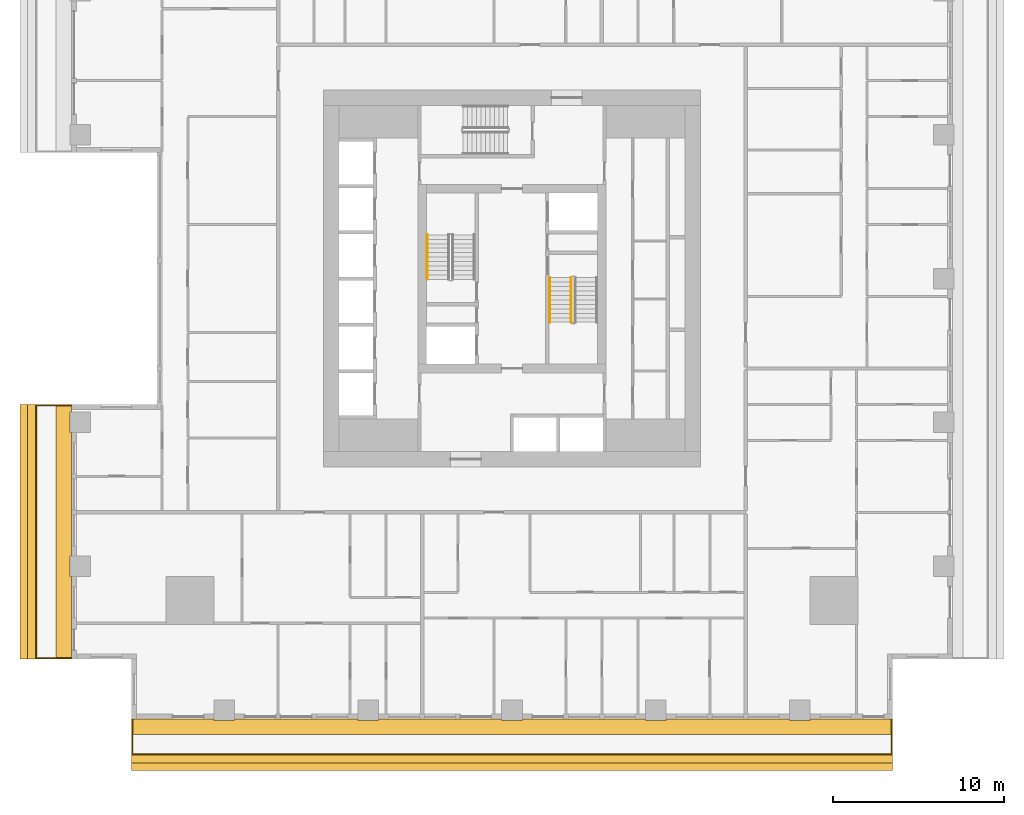
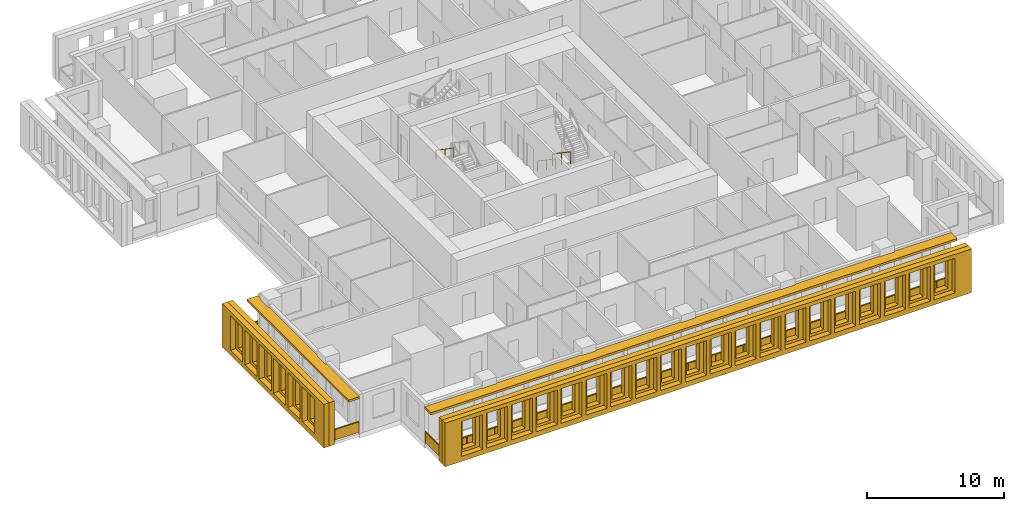
# One storey, part 11 of 15: 6 shading devices, 5 railings.
"""IFC4 building model written with IfcOpenShell, lengths in metres."""

from ifc_helpers import new_model, si_unit, direction, frame, origin, origin_2d, place, context, subcontext, project, spatial, polyline, rectangle, outline, extrude, material, layer, layer_set, type_object, element, save


model = new_model("IFC4")

# Units and contexts
model_context = context("Model", 3, precision=1e-05, world=origin(), true_north=direction((0.0, 1.0)))
body_context = subcontext(model_context, "Body", "Model", "MODEL_VIEW")
ifc_project = project(units=[si_unit("LENGTHUNIT", "METRE"), si_unit("AREAUNIT", "SQUARE_METRE"), si_unit("VOLUMEUNIT", "CUBIC_METRE"), si_unit("PLANEANGLEUNIT", "RADIAN"), si_unit("MASSUNIT", "GRAM", prefix="KILO")], contexts=[model_context])

# Site, building, storey
site_placement = place(None, origin())
site = spatial("IfcSite", under=ifc_project, at=site_placement, CompositionType="ELEMENT")
building_placement = place(site_placement, origin())
building = spatial("IfcBuilding", under=site, at=building_placement, Name="Khepri Terraces", CompositionType="ELEMENT")
storey_placement = place(building_placement, frame((0.0, 0.0, 98.699951171875)))
storey = spatial("IfcBuildingStorey", under=building, at=storey_placement, Name="L23", CompositionType="ELEMENT", Elevation=98.699951171875)

# Railings
ifc_material_1 = material(Name="Stainless steel grade 316", Category="steel")
railing_type_1 = type_object("IfcRailingType", Name="GRD-BAL-1100", PredefinedType="GUARDRAIL", material=ifc_material_1)
railing_1_placement = place(storey_placement, frame((-22.169921875, -25.719970703125, 0.0)))
element("IfcRailing", 1, at=railing_1_placement, inside=storey, type_object=railing_type_1, Name="Balcony guard L23 S", PredefinedType="GUARDRAIL", context=body_context, shape_type="SweptSolid", body=[
    extrude(rectangle(XDim=0.050048828125, YDim=0.06005859375, at=origin_2d()), frame((0.0, 0.0, 1.070068359375), z_axis=(0.0, -1.0, 0.0), x_axis=(1.0, 0.0, 0.0)), (0.0, 0.0, 1.0), 2.050048828125),
    extrude(rectangle(XDim=2.0, YDim=0.011962890625, at=origin_2d()), frame((0.0, -1.02490234375, 0.10009765625), z_axis=(0.0, 0.0, 1.0), x_axis=(0.0, -1.0, 0.0)), (0.0, 0.0, 1.0), 0.93994140625),
    extrude(rectangle(XDim=0.050048828125, YDim=0.06005859375, at=origin_2d()), frame((0.0, -2.050048828125, 1.070068359375), z_axis=(1.0, 0.0, 0.0), x_axis=(0.0, 1.0, 0.0)), (0.0, 0.0, 1.0), 44.33984375),
    extrude(rectangle(XDim=2.28369140625, YDim=0.011962890625, at=origin_2d()), frame((1.166748046875, -2.050048828125, 0.10009765625), z_axis=(0.0, 0.0, 1.0), x_axis=(1.0, 0.0, 0.0)), (0.0, 0.0, 1.0), 0.93994140625),
    extrude(rectangle(XDim=2.28369140625, YDim=0.011962890625, at=origin_2d()), frame((3.50048828125, -2.050048828125, 0.10009765625), z_axis=(0.0, 0.0, 1.0), x_axis=(1.0, 0.0, 0.0)), (0.0, 0.0, 1.0), 0.93994140625),
    extrude(rectangle(XDim=2.28369140625, YDim=0.011962890625, at=origin_2d()), frame((5.834228515625, -2.050048828125, 0.10009765625), z_axis=(0.0, 0.0, 1.0), x_axis=(1.0, 0.0, 0.0)), (0.0, 0.0, 1.0), 0.93994140625),
    extrude(rectangle(XDim=2.28369140625, YDim=0.011962890625, at=origin_2d()), frame((8.16796875, -2.050048828125, 0.10009765625), z_axis=(0.0, 0.0, 1.0), x_axis=(1.0, 0.0, 0.0)), (0.0, 0.0, 1.0), 0.93994140625),
    extrude(rectangle(XDim=2.28369140625, YDim=0.011962890625, at=origin_2d()), frame((10.50146484375, -2.050048828125, 0.10009765625), z_axis=(0.0, 0.0, 1.0), x_axis=(1.0, 0.0, 0.0)), (0.0, 0.0, 1.0), 0.93994140625),
    extrude(rectangle(XDim=2.28369140625, YDim=0.011962890625, at=origin_2d()), frame((12.835205078125, -2.050048828125, 0.10009765625), z_axis=(0.0, 0.0, 1.0), x_axis=(1.0, 0.0, 0.0)), (0.0, 0.0, 1.0), 0.93994140625),
    extrude(rectangle(XDim=2.28369140625, YDim=0.011962890625, at=origin_2d()), frame((15.1689453125, -2.050048828125, 0.10009765625), z_axis=(0.0, 0.0, 1.0), x_axis=(1.0, 0.0, 0.0)), (0.0, 0.0, 1.0), 0.93994140625),
    extrude(rectangle(XDim=2.28369140625, YDim=0.011962890625, at=origin_2d()), frame((17.502685546875, -2.050048828125, 0.10009765625), z_axis=(0.0, 0.0, 1.0), x_axis=(1.0, 0.0, 0.0)), (0.0, 0.0, 1.0), 0.93994140625),
    extrude(rectangle(XDim=2.28369140625, YDim=0.011962890625, at=origin_2d()), frame((19.836181640625, -2.050048828125, 0.10009765625), z_axis=(0.0, 0.0, 1.0), x_axis=(1.0, 0.0, 0.0)), (0.0, 0.0, 1.0), 0.93994140625),
    extrude(rectangle(XDim=2.28369140625, YDim=0.011962890625, at=origin_2d()), frame((22.169921875, -2.050048828125, 0.10009765625), z_axis=(0.0, 0.0, 1.0), x_axis=(1.0, 0.0, 0.0)), (0.0, 0.0, 1.0), 0.93994140625),
    extrude(rectangle(XDim=2.28369140625, YDim=0.011962890625, at=origin_2d()), frame((24.503662109375, -2.050048828125, 0.10009765625), z_axis=(0.0, 0.0, 1.0), x_axis=(1.0, 0.0, 0.0)), (0.0, 0.0, 1.0), 0.93994140625),
    extrude(rectangle(XDim=2.28369140625, YDim=0.011962890625, at=origin_2d()), frame((26.837158203125, -2.050048828125, 0.10009765625), z_axis=(0.0, 0.0, 1.0), x_axis=(1.0, 0.0, 0.0)), (0.0, 0.0, 1.0), 0.93994140625),
    extrude(rectangle(XDim=2.28369140625, YDim=0.011962890625, at=origin_2d()), frame((29.1708984375, -2.050048828125, 0.10009765625), z_axis=(0.0, 0.0, 1.0), x_axis=(1.0, 0.0, 0.0)), (0.0, 0.0, 1.0), 0.93994140625),
    extrude(rectangle(XDim=2.28369140625, YDim=0.011962890625, at=origin_2d()), frame((31.504638671875, -2.050048828125, 0.10009765625), z_axis=(0.0, 0.0, 1.0), x_axis=(1.0, 0.0, 0.0)), (0.0, 0.0, 1.0), 0.93994140625),
    extrude(rectangle(XDim=2.28369140625, YDim=0.011962890625, at=origin_2d()), frame((33.83837890625, -2.050048828125, 0.10009765625), z_axis=(0.0, 0.0, 1.0), x_axis=(1.0, 0.0, 0.0)), (0.0, 0.0, 1.0), 0.93994140625),
    extrude(rectangle(XDim=2.28369140625, YDim=0.011962890625, at=origin_2d()), frame((36.171875, -2.050048828125, 0.10009765625), z_axis=(0.0, 0.0, 1.0), x_axis=(1.0, 0.0, 0.0)), (0.0, 0.0, 1.0), 0.93994140625),
    extrude(rectangle(XDim=2.28369140625, YDim=0.011962890625, at=origin_2d()), frame((38.505615234375, -2.050048828125, 0.10009765625), z_axis=(0.0, 0.0, 1.0), x_axis=(1.0, 0.0, 0.0)), (0.0, 0.0, 1.0), 0.93994140625),
    extrude(rectangle(XDim=2.28369140625, YDim=0.011962890625, at=origin_2d()), frame((40.83935546875, -2.050048828125, 0.10009765625), z_axis=(0.0, 0.0, 1.0), x_axis=(1.0, 0.0, 0.0)), (0.0, 0.0, 1.0), 0.93994140625),
    extrude(rectangle(XDim=2.28369140625, YDim=0.011962890625, at=origin_2d()), frame((43.173095703125, -2.050048828125, 0.10009765625), z_axis=(0.0, 0.0, 1.0), x_axis=(1.0, 0.0, 0.0)), (0.0, 0.0, 1.0), 0.93994140625),
    extrude(rectangle(XDim=0.050048828125, YDim=0.06005859375, at=origin_2d()), frame((44.33984375, -2.050048828125, 1.070068359375), z_axis=(0.0, 1.0, 0.0), x_axis=(-1.0, 0.0, 0.0)), (0.0, 0.0, 1.0), 2.050048828125),
    extrude(rectangle(XDim=2.0, YDim=0.011962890625, at=origin_2d()), frame((44.33984375, -1.02490234375, 0.10009765625), z_axis=(0.0, 0.0, 1.0), x_axis=(0.0, 1.0, 0.0)), (0.0, 0.0, 1.0), 0.93994140625),
    extrude(rectangle(XDim=0.050048828125, YDim=0.050048828125, at=origin_2d()), origin(), (0.0, 0.0, 1.0), 1.0400390625),
    extrude(rectangle(XDim=0.050048828125, YDim=0.050048828125, at=origin_2d()), frame((0.0, -2.050048828125, 0.0)), (0.0, 0.0, 1.0), 1.0400390625),
    extrude(rectangle(XDim=0.050048828125, YDim=0.050048828125, at=origin_2d()), frame((2.333740234375, -2.050048828125, 0.0)), (0.0, 0.0, 1.0), 1.0400390625),
    extrude(rectangle(XDim=0.050048828125, YDim=0.050048828125, at=origin_2d()), frame((4.667236328125, -2.050048828125, 0.0)), (0.0, 0.0, 1.0), 1.0400390625),
    extrude(rectangle(XDim=0.050048828125, YDim=0.050048828125, at=origin_2d()), frame((7.0009765625, -2.050048828125, 0.0)), (0.0, 0.0, 1.0), 1.0400390625),
    extrude(rectangle(XDim=0.050048828125, YDim=0.050048828125, at=origin_2d()), frame((9.334716796875, -2.050048828125, 0.0)), (0.0, 0.0, 1.0), 1.0400390625),
    extrude(rectangle(XDim=0.050048828125, YDim=0.050048828125, at=origin_2d()), frame((11.66845703125, -2.050048828125, 0.0)), (0.0, 0.0, 1.0), 1.0400390625),
    extrude(rectangle(XDim=0.050048828125, YDim=0.050048828125, at=origin_2d()), frame((14.001953125, -2.050048828125, 0.0)), (0.0, 0.0, 1.0), 1.0400390625),
    extrude(rectangle(XDim=0.050048828125, YDim=0.050048828125, at=origin_2d()), frame((16.335693359375, -2.050048828125, 0.0)), (0.0, 0.0, 1.0), 1.0400390625),
    extrude(rectangle(XDim=0.050048828125, YDim=0.050048828125, at=origin_2d()), frame((18.66943359375, -2.050048828125, 0.0)), (0.0, 0.0, 1.0), 1.0400390625),
    extrude(rectangle(XDim=0.050048828125, YDim=0.050048828125, at=origin_2d()), frame((21.003173828125, -2.050048828125, 0.0)), (0.0, 0.0, 1.0), 1.0400390625),
    extrude(rectangle(XDim=0.050048828125, YDim=0.050048828125, at=origin_2d()), frame((23.336669921875, -2.050048828125, 0.0)), (0.0, 0.0, 1.0), 1.0400390625),
    extrude(rectangle(XDim=0.050048828125, YDim=0.050048828125, at=origin_2d()), frame((25.67041015625, -2.050048828125, 0.0)), (0.0, 0.0, 1.0), 1.0400390625),
    extrude(rectangle(XDim=0.050048828125, YDim=0.050048828125, at=origin_2d()), frame((28.004150390625, -2.050048828125, 0.0)), (0.0, 0.0, 1.0), 1.0400390625),
    extrude(rectangle(XDim=0.050048828125, YDim=0.050048828125, at=origin_2d()), frame((30.337890625, -2.050048828125, 0.0)), (0.0, 0.0, 1.0), 1.0400390625),
    extrude(rectangle(XDim=0.050048828125, YDim=0.050048828125, at=origin_2d()), frame((32.67138671875, -2.050048828125, 0.0)), (0.0, 0.0, 1.0), 1.0400390625),
    extrude(rectangle(XDim=0.050048828125, YDim=0.050048828125, at=origin_2d()), frame((35.005126953125, -2.050048828125, 0.0)), (0.0, 0.0, 1.0), 1.0400390625),
    extrude(rectangle(XDim=0.050048828125, YDim=0.050048828125, at=origin_2d()), frame((37.3388671875, -2.050048828125, 0.0)), (0.0, 0.0, 1.0), 1.0400390625),
    extrude(rectangle(XDim=0.050048828125, YDim=0.050048828125, at=origin_2d()), frame((39.672607421875, -2.050048828125, 0.0)), (0.0, 0.0, 1.0), 1.0400390625),
    extrude(rectangle(XDim=0.050048828125, YDim=0.050048828125, at=origin_2d()), frame((42.006103515625, -2.050048828125, 0.0)), (0.0, 0.0, 1.0), 1.0400390625),
    extrude(rectangle(XDim=0.050048828125, YDim=0.050048828125, at=origin_2d()), frame((44.33984375, -2.050048828125, 0.0)), (0.0, 0.0, 1.0), 1.0400390625),
    extrude(rectangle(XDim=0.050048828125, YDim=0.050048828125, at=origin_2d()), frame((44.33984375, 0.0, 0.0)), (0.0, 0.0, 1.0), 1.0400390625),
])
railing_2_placement = place(storey_placement, frame((-25.719970703125, -7.39990234375, 0.0)))
element("IfcRailing", 2, at=railing_2_placement, inside=storey, type_object=railing_type_1, Name="Balcony guard L23 W", PredefinedType="GUARDRAIL", context=body_context, shape_type="SweptSolid", body=[
    extrude(rectangle(XDim=0.050048828125, YDim=0.06005859375, at=origin_2d()), frame((0.0, 0.0, 1.070068359375), z_axis=(-1.0, 0.0, 0.0), x_axis=(0.0, -1.0, 0.0)), (0.0, 0.0, 1.0), 2.050048828125),
    extrude(rectangle(XDim=2.0, YDim=0.011962890625, at=origin_2d()), frame((-1.02490234375, 0.0, 0.10009765625), z_axis=(0.0, 0.0, 1.0), x_axis=(-1.0, 0.0, 0.0)), (0.0, 0.0, 1.0), 0.93994140625),
    extrude(rectangle(XDim=0.050048828125, YDim=0.06005859375, at=origin_2d()), frame((-2.050048828125, 0.0, 1.070068359375), z_axis=(0.0, -1.0, 0.0), x_axis=(1.0, 0.0, 0.0)), (0.0, 0.0, 1.0), 14.77001953125),
    extrude(rectangle(XDim=2.06005859375, YDim=0.011962890625, at=origin_2d()), frame((-2.050048828125, -1.054931640625, 0.10009765625), z_axis=(0.0, 0.0, 1.0), x_axis=(0.0, -1.0, 0.0)), (0.0, 0.0, 1.0), 0.93994140625),
    extrude(rectangle(XDim=2.06005859375, YDim=0.011962890625, at=origin_2d()), frame((-2.050048828125, -3.1650390625, 0.10009765625), z_axis=(0.0, 0.0, 1.0), x_axis=(0.0, -1.0, 0.0)), (0.0, 0.0, 1.0), 0.93994140625),
    extrude(rectangle(XDim=2.06005859375, YDim=0.011962890625, at=origin_2d()), frame((-2.050048828125, -5.27490234375, 0.10009765625), z_axis=(0.0, 0.0, 1.0), x_axis=(0.0, -1.0, 0.0)), (0.0, 0.0, 1.0), 0.93994140625),
    extrude(rectangle(XDim=2.06005859375, YDim=0.011962890625, at=origin_2d()), frame((-2.050048828125, -7.385009765625, 0.10009765625), z_axis=(0.0, 0.0, 1.0), x_axis=(0.0, -1.0, 0.0)), (0.0, 0.0, 1.0), 0.93994140625),
    extrude(rectangle(XDim=2.06005859375, YDim=0.011962890625, at=origin_2d()), frame((-2.050048828125, -9.4951171875, 0.10009765625), z_axis=(0.0, 0.0, 1.0), x_axis=(0.0, -1.0, 0.0)), (0.0, 0.0, 1.0), 0.93994140625),
    extrude(rectangle(XDim=2.06005859375, YDim=0.011962890625, at=origin_2d()), frame((-2.050048828125, -11.60498046875, 0.10009765625), z_axis=(0.0, 0.0, 1.0), x_axis=(0.0, -1.0, 0.0)), (0.0, 0.0, 1.0), 0.93994140625),
    extrude(rectangle(XDim=2.06005859375, YDim=0.011962890625, at=origin_2d()), frame((-2.050048828125, -13.715087890625, 0.10009765625), z_axis=(0.0, 0.0, 1.0), x_axis=(0.0, -1.0, 0.0)), (0.0, 0.0, 1.0), 0.93994140625),
    extrude(rectangle(XDim=0.050048828125, YDim=0.06005859375, at=origin_2d()), frame((-2.050048828125, -14.77001953125, 1.070068359375), z_axis=(1.0, 0.0, 0.0), x_axis=(0.0, 1.0, 0.0)), (0.0, 0.0, 1.0), 2.050048828125),
    extrude(rectangle(XDim=2.0, YDim=0.011962890625, at=origin_2d()), frame((-1.02490234375, -14.77001953125, 0.10009765625), z_axis=(0.0, 0.0, 1.0), x_axis=(1.0, 0.0, 0.0)), (0.0, 0.0, 1.0), 0.93994140625),
    extrude(rectangle(XDim=0.050048828125, YDim=0.050048828125, at=origin_2d()), origin(), (0.0, 0.0, 1.0), 1.0400390625),
    extrude(rectangle(XDim=0.050048828125, YDim=0.050048828125, at=origin_2d()), frame((-2.050048828125, 0.0, 0.0)), (0.0, 0.0, 1.0), 1.0400390625),
    extrude(rectangle(XDim=0.050048828125, YDim=0.050048828125, at=origin_2d()), frame((-2.050048828125, -2.110107421875, 0.0)), (0.0, 0.0, 1.0), 1.0400390625),
    extrude(rectangle(XDim=0.050048828125, YDim=0.050048828125, at=origin_2d()), frame((-2.050048828125, -4.219970703125, 0.0)), (0.0, 0.0, 1.0), 1.0400390625),
    extrude(rectangle(XDim=0.050048828125, YDim=0.050048828125, at=origin_2d()), frame((-2.050048828125, -6.330078125, 0.0)), (0.0, 0.0, 1.0), 1.0400390625),
    extrude(rectangle(XDim=0.050048828125, YDim=0.050048828125, at=origin_2d()), frame((-2.050048828125, -8.43994140625, 0.0)), (0.0, 0.0, 1.0), 1.0400390625),
    extrude(rectangle(XDim=0.050048828125, YDim=0.050048828125, at=origin_2d()), frame((-2.050048828125, -10.550048828125, 0.0)), (0.0, 0.0, 1.0), 1.0400390625),
    extrude(rectangle(XDim=0.050048828125, YDim=0.050048828125, at=origin_2d()), frame((-2.050048828125, -12.659912109375, 0.0)), (0.0, 0.0, 1.0), 1.0400390625),
    extrude(rectangle(XDim=0.050048828125, YDim=0.050048828125, at=origin_2d()), frame((-2.050048828125, -14.77001953125, 0.0)), (0.0, 0.0, 1.0), 1.0400390625),
    extrude(rectangle(XDim=0.050048828125, YDim=0.050048828125, at=origin_2d()), frame((0.0, -14.77001953125, 0.0)), (0.0, 0.0, 1.0), 1.0400390625),
])
ifc_material_2 = material(Name="Stainless steel 316", Category="steel")
railing_type_2 = type_object("IfcRailingType", Name="RL-CORE-GUARD", PredefinedType="GUARDRAIL", material=ifc_material_2)
railing_3_placement = place(storey_placement, frame((3.449951171875, 0.050048828125, 0.17724609375)))
element("IfcRailing", 3, at=railing_3_placement, inside=storey, type_object=railing_type_2, Name="L23 ST-2 stair guard 1", PredefinedType="GUARDRAIL", context=body_context, shape_type="SweptSolid", body=[
    extrude(rectangle(XDim=0.050048828125, YDim=0.06005859375, at=origin_2d()), frame((0.0, 0.0, 1.070068359375), z_axis=(0.0, -0.826240473404, 0.563317565952), x_axis=(1.0, 0.0, 0.0)), (0.0, 0.0, 1.0), 3.14697265625),
    extrude(rectangle(XDim=0.050048828125, YDim=0.050048828125, at=origin_2d()), origin(), (0.0, 0.0, 1.0), 1.0400390625),
    extrude(rectangle(XDim=0.050048828125, YDim=0.050048828125, at=origin_2d()), frame((0.0, -1.300048828125, 0.88623046875)), (0.0, 0.0, 1.0), 1.0400390625),
    extrude(rectangle(XDim=0.050048828125, YDim=0.050048828125, at=origin_2d()), frame((0.0, -2.60009765625, 1.772705078125)), (0.0, 0.0, 1.0), 1.0400390625),
])
railing_type_3 = type_object("IfcRailingType", Name="RL-CORE-HANDRAIL", PredefinedType="HANDRAIL", material=ifc_material_2)
for number, where, name in (
    (4, (-4.949951171875, 2.550048828125, 2.12744140625), "L23 ST-1 stair handrail 2"),
    (5, (2.199951171875, 0.050048828125, 0.17724609375), "L23 ST-2 stair handrail 1"),
):
    element("IfcRailing", number, at=place(storey_placement, frame(where)), inside=storey, type_object=railing_type_3, Name=name, PredefinedType="HANDRAIL", context=body_context, shape_type="SweptSolid", body=[
        extrude(rectangle(XDim=0.050048828125, YDim=0.050048828125, at=origin_2d()), frame((0.0, 0.0, 0.875), z_axis=(0.0, -0.826240473404, 0.563317565952), x_axis=(1.0, 0.0, 0.0)), (0.0, 0.0, 1.0), 3.14697265625),
        extrude(rectangle(XDim=0.050048828125, YDim=0.050048828125, at=origin_2d()), origin(), (0.0, 0.0, 1.0), 0.849853515625),
        extrude(rectangle(XDim=0.050048828125, YDim=0.050048828125, at=origin_2d()), frame((0.0, -1.300048828125, 0.88623046875)), (0.0, 0.0, 1.0), 0.849853515625),
        extrude(rectangle(XDim=0.050048828125, YDim=0.050048828125, at=origin_2d()), frame((0.0, -2.60009765625, 1.772705078125)), (0.0, 0.0, 1.0), 0.849853515625),
    ])

# Shading devices
ifc_material_3 = material(Name="Precast concrete C50/60 warm stone", Category="masonry")
shading_device_type_1 = type_object("IfcShadingDeviceType", Name="SCR-CELL-INNER-450", PredefinedType="USERDEFINED", material=ifc_material_3)
shading_device_1_placement = place(storey_placement, frame((-22.219970703125, -27.820068359375, -0.25), z_axis=(0.0, -1.0, 0.0), x_axis=(1.0, 0.0, 0.0)))
element("IfcShadingDevice", 6, at=shading_device_1_placement, inside=storey, type_object=shading_device_type_1, Name="Cell screen L23 S in", ObjectType="SCREEN", PredefinedType="USERDEFINED", context=body_context, shape_type="SweptSolid", body=[
    extrude(outline(polyline([(0.0, 0.0), (44.43994140625, 0.0), (44.43994140625, 3.89990234375), (0.0, 3.89990234375), (0.0, 0.0)]), holes=[polyline([(1.7265625, 0.699951171875), (2.8134765625, 0.699951171875), (2.8134765625, 3.300048828125), (1.7265625, 3.300048828125), (1.7265625, 0.699951171875)]), polyline([(3.82666015625, 0.699951171875), (4.913330078125, 0.699951171875), (4.913330078125, 3.300048828125), (3.82666015625, 3.300048828125), (3.82666015625, 0.699951171875)]), polyline([(5.926513671875, 0.699951171875), (7.013427734375, 0.699951171875), (7.013427734375, 3.300048828125), (5.926513671875, 3.300048828125), (5.926513671875, 0.699951171875)]), polyline([(8.026611328125, 0.699951171875), (9.11328125, 0.699951171875), (9.11328125, 3.300048828125), (8.026611328125, 3.300048828125), (8.026611328125, 0.699951171875)]), polyline([(10.126708984375, 0.699951171875), (11.21337890625, 0.699951171875), (11.21337890625, 3.300048828125), (10.126708984375, 3.300048828125), (10.126708984375, 0.699951171875)]), polyline([(12.2265625, 0.699951171875), (13.3134765625, 0.699951171875), (13.3134765625, 3.300048828125), (12.2265625, 3.300048828125), (12.2265625, 0.699951171875)]), polyline([(14.32666015625, 0.699951171875), (15.413330078125, 0.699951171875), (15.413330078125, 3.300048828125), (14.32666015625, 3.300048828125), (14.32666015625, 0.699951171875)]), polyline([(16.426513671875, 0.699951171875), (17.513427734375, 0.699951171875), (17.513427734375, 3.300048828125), (16.426513671875, 3.300048828125), (16.426513671875, 0.699951171875)]), polyline([(18.526611328125, 0.699951171875), (19.61328125, 0.699951171875), (19.61328125, 3.300048828125), (18.526611328125, 3.300048828125), (18.526611328125, 0.699951171875)]), polyline([(20.626708984375, 0.699951171875), (21.71337890625, 0.699951171875), (21.71337890625, 3.300048828125), (20.626708984375, 3.300048828125), (20.626708984375, 0.699951171875)]), polyline([(22.7265625, 0.699951171875), (23.8134765625, 0.699951171875), (23.8134765625, 3.300048828125), (22.7265625, 3.300048828125), (22.7265625, 0.699951171875)]), polyline([(24.82666015625, 0.699951171875), (25.913330078125, 0.699951171875), (25.913330078125, 3.300048828125), (24.82666015625, 3.300048828125), (24.82666015625, 0.699951171875)]), polyline([(26.926513671875, 0.699951171875), (28.013427734375, 0.699951171875), (28.013427734375, 3.300048828125), (26.926513671875, 3.300048828125), (26.926513671875, 0.699951171875)]), polyline([(29.026611328125, 0.699951171875), (30.11328125, 0.699951171875), (30.11328125, 3.300048828125), (29.026611328125, 3.300048828125), (29.026611328125, 0.699951171875)]), polyline([(31.126708984375, 0.699951171875), (32.21337890625, 0.699951171875), (32.21337890625, 3.300048828125), (31.126708984375, 3.300048828125), (31.126708984375, 0.699951171875)]), polyline([(33.2265625, 0.699951171875), (34.3134765625, 0.699951171875), (34.3134765625, 3.300048828125), (33.2265625, 3.300048828125), (33.2265625, 0.699951171875)]), polyline([(35.32666015625, 0.699951171875), (36.413330078125, 0.699951171875), (36.413330078125, 3.300048828125), (35.32666015625, 3.300048828125), (35.32666015625, 0.699951171875)]), polyline([(37.426513671875, 0.699951171875), (38.513427734375, 0.699951171875), (38.513427734375, 3.300048828125), (37.426513671875, 3.300048828125), (37.426513671875, 0.699951171875)]), polyline([(39.526611328125, 0.699951171875), (40.61328125, 0.699951171875), (40.61328125, 3.300048828125), (39.526611328125, 3.300048828125), (39.526611328125, 0.699951171875)]), polyline([(41.626708984375, 0.699951171875), (42.71337890625, 0.699951171875), (42.71337890625, 3.300048828125), (41.626708984375, 3.300048828125), (41.626708984375, 0.699951171875)])]), origin(), (0.0, 0.0, 1.0), 0.449951171875),
])
shading_device_2_placement = place(storey_placement, frame((-27.820068359375, -7.35009765625, -0.25), z_axis=(-1.0, 0.0, 0.0), x_axis=(0.0, -1.0, 0.0)))
element("IfcShadingDevice", 7, at=shading_device_2_placement, inside=storey, type_object=shading_device_type_1, Name="Cell screen L23 W in", ObjectType="SCREEN", PredefinedType="USERDEFINED", context=body_context, shape_type="SweptSolid", body=[
    extrude(outline(polyline([(0.0, 0.0), (14.8701171875, 0.0), (14.8701171875, 3.89990234375), (0.0, 3.89990234375), (0.0, 0.0)]), holes=[polyline([(1.556640625, 0.699951171875), (2.643310546875, 0.699951171875), (2.643310546875, 3.300048828125), (1.556640625, 3.300048828125), (1.556640625, 0.699951171875)]), polyline([(3.656494140625, 0.699951171875), (4.743408203125, 0.699951171875), (4.743408203125, 3.300048828125), (3.656494140625, 3.300048828125), (3.656494140625, 0.699951171875)]), polyline([(5.756591796875, 0.699951171875), (6.843505859375, 0.699951171875), (6.843505859375, 3.300048828125), (5.756591796875, 3.300048828125), (5.756591796875, 0.699951171875)]), polyline([(7.856689453125, 0.699951171875), (8.943359375, 0.699951171875), (8.943359375, 3.300048828125), (7.856689453125, 3.300048828125), (7.856689453125, 0.699951171875)]), polyline([(9.95654296875, 0.699951171875), (11.04345703125, 0.699951171875), (11.04345703125, 3.300048828125), (9.95654296875, 3.300048828125), (9.95654296875, 0.699951171875)]), polyline([(12.056640625, 0.699951171875), (13.143310546875, 0.699951171875), (13.143310546875, 3.300048828125), (12.056640625, 3.300048828125), (12.056640625, 0.699951171875)])]), origin(), (0.0, 0.0, 1.0), 0.449951171875),
])
shading_device_type_2 = type_object("IfcShadingDeviceType", Name="SCR-CELL-OUTER-450", PredefinedType="USERDEFINED", material=ifc_material_3)
shading_device_3_placement = place(storey_placement, frame((-22.219970703125, -28.27001953125, -0.25), z_axis=(0.0, -1.0, 0.0), x_axis=(1.0, 0.0, 0.0)))
element("IfcShadingDevice", 8, at=shading_device_3_placement, inside=storey, type_object=shading_device_type_2, Name="Cell screen L23 S out", ObjectType="SCREEN", PredefinedType="USERDEFINED", context=body_context, shape_type="SweptSolid", body=[
    extrude(outline(polyline([(0.0, 0.0), (44.43994140625, 0.0), (44.43994140625, 3.89990234375), (0.0, 3.89990234375), (0.0, 0.0)]), holes=[polyline([(1.376708984375, 0.449951171875), (3.163330078125, 0.449951171875), (3.163330078125, 3.550048828125), (1.376708984375, 3.550048828125), (1.376708984375, 0.449951171875)]), polyline([(3.4765625, 0.449951171875), (5.263427734375, 0.449951171875), (5.263427734375, 3.550048828125), (3.4765625, 3.550048828125), (3.4765625, 0.449951171875)]), polyline([(5.57666015625, 0.449951171875), (7.36328125, 0.449951171875), (7.36328125, 3.550048828125), (5.57666015625, 3.550048828125), (5.57666015625, 0.449951171875)]), polyline([(7.676513671875, 0.449951171875), (9.46337890625, 0.449951171875), (9.46337890625, 3.550048828125), (7.676513671875, 3.550048828125), (7.676513671875, 0.449951171875)]), polyline([(9.776611328125, 0.449951171875), (11.5634765625, 0.449951171875), (11.5634765625, 3.550048828125), (9.776611328125, 3.550048828125), (9.776611328125, 0.449951171875)]), polyline([(11.876708984375, 0.449951171875), (13.663330078125, 0.449951171875), (13.663330078125, 3.550048828125), (11.876708984375, 3.550048828125), (11.876708984375, 0.449951171875)]), polyline([(13.9765625, 0.449951171875), (15.763427734375, 0.449951171875), (15.763427734375, 3.550048828125), (13.9765625, 3.550048828125), (13.9765625, 0.449951171875)]), polyline([(16.07666015625, 0.449951171875), (17.86328125, 0.449951171875), (17.86328125, 3.550048828125), (16.07666015625, 3.550048828125), (16.07666015625, 0.449951171875)]), polyline([(18.176513671875, 0.449951171875), (19.96337890625, 0.449951171875), (19.96337890625, 3.550048828125), (18.176513671875, 3.550048828125), (18.176513671875, 0.449951171875)]), polyline([(20.276611328125, 0.449951171875), (22.0634765625, 0.449951171875), (22.0634765625, 3.550048828125), (20.276611328125, 3.550048828125), (20.276611328125, 0.449951171875)]), polyline([(22.376708984375, 0.449951171875), (24.163330078125, 0.449951171875), (24.163330078125, 3.550048828125), (22.376708984375, 3.550048828125), (22.376708984375, 0.449951171875)]), polyline([(24.4765625, 0.449951171875), (26.263427734375, 0.449951171875), (26.263427734375, 3.550048828125), (24.4765625, 3.550048828125), (24.4765625, 0.449951171875)]), polyline([(26.57666015625, 0.449951171875), (28.36328125, 0.449951171875), (28.36328125, 3.550048828125), (26.57666015625, 3.550048828125), (26.57666015625, 0.449951171875)]), polyline([(28.676513671875, 0.449951171875), (30.46337890625, 0.449951171875), (30.46337890625, 3.550048828125), (28.676513671875, 3.550048828125), (28.676513671875, 0.449951171875)]), polyline([(30.776611328125, 0.449951171875), (32.5634765625, 0.449951171875), (32.5634765625, 3.550048828125), (30.776611328125, 3.550048828125), (30.776611328125, 0.449951171875)]), polyline([(32.876708984375, 0.449951171875), (34.663330078125, 0.449951171875), (34.663330078125, 3.550048828125), (32.876708984375, 3.550048828125), (32.876708984375, 0.449951171875)]), polyline([(34.9765625, 0.449951171875), (36.763427734375, 0.449951171875), (36.763427734375, 3.550048828125), (34.9765625, 3.550048828125), (34.9765625, 0.449951171875)]), polyline([(37.07666015625, 0.449951171875), (38.86328125, 0.449951171875), (38.86328125, 3.550048828125), (37.07666015625, 3.550048828125), (37.07666015625, 0.449951171875)]), polyline([(39.176513671875, 0.449951171875), (40.96337890625, 0.449951171875), (40.96337890625, 3.550048828125), (39.176513671875, 3.550048828125), (39.176513671875, 0.449951171875)]), polyline([(41.276611328125, 0.449951171875), (43.0634765625, 0.449951171875), (43.0634765625, 3.550048828125), (41.276611328125, 3.550048828125), (41.276611328125, 0.449951171875)])]), origin(), (0.0, 0.0, 1.0), 0.449951171875),
])
shading_device_4_placement = place(storey_placement, frame((-28.27001953125, -7.35009765625, -0.25), z_axis=(-1.0, 0.0, 0.0), x_axis=(0.0, -1.0, 0.0)))
element("IfcShadingDevice", 9, at=shading_device_4_placement, inside=storey, type_object=shading_device_type_2, Name="Cell screen L23 W out", ObjectType="SCREEN", PredefinedType="USERDEFINED", context=body_context, shape_type="SweptSolid", body=[
    extrude(outline(polyline([(0.0, 0.0), (14.8701171875, 0.0), (14.8701171875, 3.89990234375), (0.0, 3.89990234375), (0.0, 0.0)]), holes=[polyline([(1.20654296875, 0.449951171875), (2.993408203125, 0.449951171875), (2.993408203125, 3.550048828125), (1.20654296875, 3.550048828125), (1.20654296875, 0.449951171875)]), polyline([(3.306640625, 0.449951171875), (5.093505859375, 0.449951171875), (5.093505859375, 3.550048828125), (3.306640625, 3.550048828125), (3.306640625, 0.449951171875)]), polyline([(5.406494140625, 0.449951171875), (7.193359375, 0.449951171875), (7.193359375, 3.550048828125), (5.406494140625, 3.550048828125), (5.406494140625, 0.449951171875)]), polyline([(7.506591796875, 0.449951171875), (9.29345703125, 0.449951171875), (9.29345703125, 3.550048828125), (7.506591796875, 3.550048828125), (7.506591796875, 0.449951171875)]), polyline([(9.606689453125, 0.449951171875), (11.393310546875, 0.449951171875), (11.393310546875, 3.550048828125), (9.606689453125, 3.550048828125), (9.606689453125, 0.449951171875)]), polyline([(11.70654296875, 0.449951171875), (13.493408203125, 0.449951171875), (13.493408203125, 3.550048828125), (11.70654296875, 3.550048828125), (11.70654296875, 0.449951171875)])]), origin(), (0.0, 0.0, 1.0), 0.449951171875),
])
ifc_layer = layer(ifc_material_3, 0.199951171875, Name="Precast concrete C50/60 warm stone", Category="masonry")
ifc_layer_set = layer_set([ifc_layer], Name="Precast concrete C50/60 warm stone")
shading_device_type_3 = type_object("IfcShadingDeviceType", Name="SSH-BAND-STONE-200", PredefinedType="USERDEFINED", material=ifc_layer_set)
shading_device_5_placement = place(storey_placement, frame((0.0, 0.0, 3.10009765625)))
element("IfcShadingDevice", 10, at=shading_device_5_placement, inside=storey, type_object=shading_device_type_3, Name="Sunshade band L23 S", ObjectType="SUNSHADE", PredefinedType="USERDEFINED", context=body_context, shape_type="SweptSolid", body=[
    extrude(outline(polyline([(-17.39990234375, -25.719970703125), (-22.219970703125, -25.719970703125), (-22.219970703125, -26.6201171875), (22.219970703125, -26.6201171875), (22.219970703125, -25.719970703125), (17.39990234375, -25.719970703125), (17.39990234375, -25.800048828125), (16.199951171875, -25.800048828125), (16.199951171875, -25.719970703125), (9.0, -25.719970703125), (9.0, -25.800048828125), (7.800048828125, -25.800048828125), (7.800048828125, -25.719970703125), (0.60009765625, -25.719970703125), (0.60009765625, -25.800048828125), (-0.60009765625, -25.800048828125), (-0.60009765625, -25.719970703125), (-7.800048828125, -25.719970703125), (-7.800048828125, -25.800048828125), (-9.0, -25.800048828125), (-9.0, -25.719970703125), (-16.199951171875, -25.719970703125), (-16.199951171875, -25.800048828125), (-17.39990234375, -25.800048828125), (-17.39990234375, -25.719970703125)])), origin(), (0.0, 0.0, 1.0), 0.199951171875),
])
shading_device_6_placement = place(storey_placement, frame((0.0, 0.0, 3.10009765625)))
element("IfcShadingDevice", 11, at=shading_device_6_placement, inside=storey, type_object=shading_device_type_3, Name="Sunshade band L23 W", ObjectType="SUNSHADE", PredefinedType="USERDEFINED", context=body_context, shape_type="SweptSolid", body=[
    extrude(outline(polyline([(-25.719970703125, -7.800048828125), (-25.719970703125, -7.35009765625), (-26.6201171875, -7.35009765625), (-26.6201171875, -22.219970703125), (-25.719970703125, -22.219970703125), (-25.719970703125, -17.39990234375), (-25.800048828125, -17.39990234375), (-25.800048828125, -16.199951171875), (-25.719970703125, -16.199951171875), (-25.719970703125, -9.0), (-25.800048828125, -9.0), (-25.800048828125, -7.800048828125), (-25.719970703125, -7.800048828125)])), origin(), (0.0, 0.0, 1.0), 0.199951171875),
])

save(model, "model.ifc")
